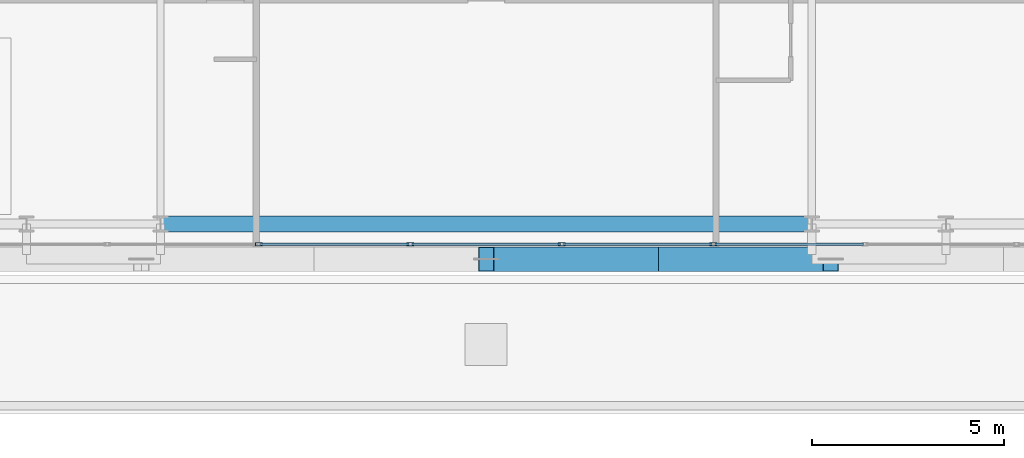
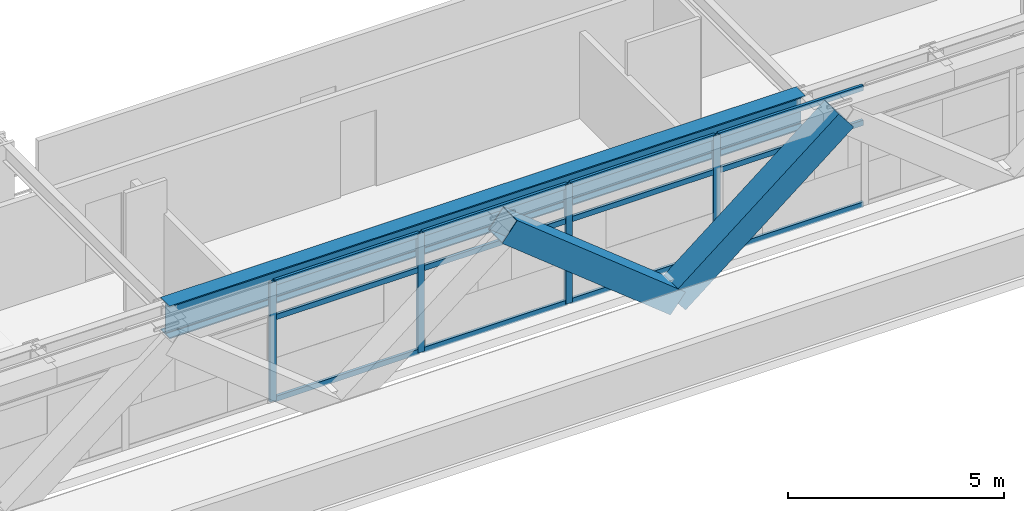
# One storey, part 5 of 34: 18 members, 1 beam, 1 element without a shape of its own.
"""IFC4 building model written with IfcOpenShell, lengths in metres."""

from ifc_helpers import new_model, si_unit, direction, frame, origin, origin_2d, place, context, subcontext, project, spatial, hollow_rectangle, i_section, extrude, source, transform, mapped, material, layer, layer_set, material_profile, profile_set, type_object, element, aggregate, save


model = new_model("IFC4")

# Units and contexts
model_context = context("Model", 3, precision=1e-05, world=origin(), true_north=direction((0.0, 1.0)))
body_context = subcontext(model_context, "Body", "Model", "MODEL_VIEW")
ifc_project = project(units=[si_unit("LENGTHUNIT", "METRE"), si_unit("AREAUNIT", "SQUARE_METRE"), si_unit("VOLUMEUNIT", "CUBIC_METRE"), si_unit("PLANEANGLEUNIT", "RADIAN"), si_unit("MASSUNIT", "GRAM", prefix="KILO")], contexts=[model_context])

# Site, building, storey
site_placement = place(None, origin())
site = spatial("IfcSite", under=ifc_project, at=site_placement, CompositionType="ELEMENT")
building_placement = place(site_placement, origin())
building = spatial("IfcBuilding", under=site, at=building_placement, Name="Ocotamira Hotel", CompositionType="ELEMENT")
storey_placement = place(building_placement, frame((0.0, 0.0, 163.199951171875)))
storey = spatial("IfcBuildingStorey", under=building, at=storey_placement, Name="L40", CompositionType="ELEMENT", Elevation=163.199951171875)

# Beam
ifc_material_1 = material(Name="Steel ASTM A992 Grade 50", Category="steel")
ifc_material_profile_1 = material_profile(ifc_material_1, i_section(OverallWidth=0.41796875, OverallDepth=0.927001953125, WebThickness=0.019287109375, FlangeThickness=0.031982421875, FilletRadius=0.02392578125, at=origin_2d()), Name="W36X231")
ifc_profile_set_1 = profile_set([ifc_material_profile_1], Name="Steel ASTM A992 Grade 50")
beam_type = type_object("IfcBeamType", Name="BM-GIRD-W36X231", PredefinedType="BEAM", material=ifc_profile_set_1)
shared_shape_1 = source(origin(), body_context, "Body", "SweptSolid", [
    extrude(i_section(OverallWidth=0.41796875, OverallDepth=0.927001953125, WebThickness=0.019287109375, FlangeThickness=0.031982421875, FilletRadius=0.02392578125, at=origin_2d()), origin(), (0.0, 0.0, 1.0), 17.0),
])
beam_placement = place(storey_placement, frame((23.5, 6.949951171875, 2.906494140625), z_axis=(1.0, 0.0, 0.0), x_axis=(0.0, 1.0, 0.0)))
element("IfcBeam", 1, at=beam_placement, inside=storey, type_object=beam_type, Name="L40 Girder Y6.95 X23.5-40.5", PredefinedType="BEAM", context=body_context, shape_type="MappedRepresentation", body=[
    mapped(shared_shape_1, transform((0.0, 0.0, 0.0), scale=1.0)),
])

# Members
ifc_material_2 = material(Name="Pale-metal coated steel ASTM A913 Grade 65", Category="steel")
ifc_material_profile_2 = material_profile(ifc_material_2, hollow_rectangle(XDim=0.64990234375, YDim=0.64990234375, WallThickness=0.02197265625, at=origin_2d()), Name="BOX650X650X22")
ifc_profile_set_2 = profile_set([ifc_material_profile_2], Name="Pale-metal coated steel ASTM A913 Grade 65")
member_type_1 = type_object("IfcMemberType", Name="MEM-EXO-BOX650", PredefinedType="BRACE", material=ifc_profile_set_2)
shared_shape_2 = source(origin(), body_context, "Body", "SweptSolid", [
    extrude(hollow_rectangle(XDim=0.64990234375, YDim=0.64990234375, WallThickness=0.02197265625, at=origin_2d()), origin(), (0.0, 0.0, 1.0), 5.762939453125),
])
for number, where, z_axis, x_axis, name in (
    (2, (36.5, 6.030029296875, -0.47998046875), (-0.780860543151, 0.0, 0.624705380279), (0.0, -1.0, 0.0), "L40 Exoskeleton Diagrid S2.1"),
    (3, (36.5, 6.030029296875, -0.47998046875), (0.780860543151, 0.0, 0.624705380279), (0.0, 1.0, 0.0), "L40 Exoskeleton Diagrid S2.2"),
):
    element("IfcMember", number, at=place(storey_placement, frame(where, z_axis=z_axis, x_axis=x_axis)), inside=storey, type_object=member_type_1, Name=name, PredefinedType="BRACE", context=body_context, shape_type="MappedRepresentation", body=[
        mapped(shared_shape_2, transform((0.0, 0.0, 0.0), scale=1.0)),
    ])

# Curtain wall, members
ifc_material_3 = material(Name="Anodised pale-metal aluminium and solar glass", Category="aluminium")
ifc_layer = layer(ifc_material_3, 0.199951171875)
ifc_layer_set = layer_set([ifc_layer], Name="Anodised pale-metal aluminium and solar glass")
curtain_wall_type = type_object("IfcCurtainWallType", Name="CW-SYS4-Z3", PredefinedType="NOTDEFINED", material=ifc_layer_set)
curtain_wall_placement = place(storey_placement, origin())
curtain_wall = element("IfcCurtainWall", 4, at=curtain_wall_placement, inside=storey, type_object=curtain_wall_type, Name="L40 Curtain Wall CW-4 CW-L40-S1", PredefinedType="NOTDEFINED")
ifc_material_4 = material(Name="Anodised pale-metal aluminium 6063-T6", Category="aluminium")
ifc_material_profile_3 = material_profile(ifc_material_4, hollow_rectangle(XDim=0.074951171875, YDim=0.14990234375, WallThickness=0.006103515625, at=origin_2d()), Name="HSS150X75X6")
ifc_profile_set_3 = profile_set([ifc_material_profile_3], Name="Anodised pale-metal aluminium 6063-T6")
member_type_2 = type_object("IfcMemberType", Name="CWT-150X75", PredefinedType="USERDEFINED", material=ifc_profile_set_3)
shared_shape_3 = source(origin(), body_context, "Body", "SweptSolid", [
    extrude(hollow_rectangle(XDim=0.074951171875, YDim=0.14990234375, WallThickness=0.006103515625, at=origin_2d()), origin(), (0.0, 0.0, 1.0), 3.87548828125),
])
member_1_placement = place(storey_placement, frame((26.106689453125, 6.419921875, 0.03759765625), z_axis=(1.0, 0.0, 0.0), x_axis=(0.0, 1.0, 0.0)))
member_1 = element("IfcMember", 5, at=member_1_placement, type_object=member_type_2, Name="CW-4 transom 4.1", ObjectType="TRANSOM", PredefinedType="USERDEFINED", context=body_context, shape_type="MappedRepresentation", body=[
    mapped(shared_shape_3, transform((0.0, 0.0, 0.0), scale=1.0)),
])
member_2_placement = place(storey_placement, frame((26.106689453125, 6.419921875, 2.35009765625), z_axis=(1.0, 0.0, 0.0), x_axis=(0.0, 1.0, 0.0)))
member_2 = element("IfcMember", 6, at=member_2_placement, type_object=member_type_2, Name="CW-4 transom 4.2", ObjectType="TRANSOM", PredefinedType="USERDEFINED", context=body_context, shape_type="MappedRepresentation", body=[
    mapped(shared_shape_3, transform((0.0, 0.0, 0.0), scale=1.0)),
])
member_3_placement = place(storey_placement, frame((26.106689453125, 6.419921875, 3.33251953125), z_axis=(1.0, 0.0, 0.0), x_axis=(0.0, 1.0, 0.0)))
member_3 = element("IfcMember", 7, at=member_3_placement, type_object=member_type_2, Name="CW-4 transom 4.3", ObjectType="TRANSOM", PredefinedType="USERDEFINED", context=body_context, shape_type="MappedRepresentation", body=[
    mapped(shared_shape_3, transform((0.0, 0.0, 0.0), scale=1.0)),
])
member_4_placement = place(storey_placement, frame((30.062255859375, 6.419921875, 0.03759765625), z_axis=(1.0, 0.0, 0.0), x_axis=(0.0, 1.0, 0.0)))
member_4 = element("IfcMember", 8, at=member_4_placement, type_object=member_type_2, Name="CW-4 transom 5.1", ObjectType="TRANSOM", PredefinedType="USERDEFINED", context=body_context, shape_type="MappedRepresentation", body=[
    mapped(shared_shape_3, transform((0.0, 0.0, 0.0), scale=1.0)),
])
member_5_placement = place(storey_placement, frame((30.062255859375, 6.419921875, 2.35009765625), z_axis=(1.0, 0.0, 0.0), x_axis=(0.0, 1.0, 0.0)))
member_5 = element("IfcMember", 9, at=member_5_placement, type_object=member_type_2, Name="CW-4 transom 5.2", ObjectType="TRANSOM", PredefinedType="USERDEFINED", context=body_context, shape_type="MappedRepresentation", body=[
    mapped(shared_shape_3, transform((0.0, 0.0, 0.0), scale=1.0)),
])
member_6_placement = place(storey_placement, frame((30.062255859375, 6.419921875, 3.33251953125), z_axis=(1.0, 0.0, 0.0), x_axis=(0.0, 1.0, 0.0)))
member_6 = element("IfcMember", 10, at=member_6_placement, type_object=member_type_2, Name="CW-4 transom 5.3", ObjectType="TRANSOM", PredefinedType="USERDEFINED", context=body_context, shape_type="MappedRepresentation", body=[
    mapped(shared_shape_3, transform((0.0, 0.0, 0.0), scale=1.0)),
])
member_7_placement = place(storey_placement, frame((34.017822265625, 6.419921875, 0.03759765625), z_axis=(1.0, 0.0, 0.0), x_axis=(0.0, 1.0, 0.0)))
member_7 = element("IfcMember", 11, at=member_7_placement, type_object=member_type_2, Name="CW-4 transom 6.1", ObjectType="TRANSOM", PredefinedType="USERDEFINED", context=body_context, shape_type="MappedRepresentation", body=[
    mapped(shared_shape_3, transform((0.0, 0.0, 0.0), scale=1.0)),
])
member_8_placement = place(storey_placement, frame((34.017822265625, 6.419921875, 2.35009765625), z_axis=(1.0, 0.0, 0.0), x_axis=(0.0, 1.0, 0.0)))
member_8 = element("IfcMember", 12, at=member_8_placement, type_object=member_type_2, Name="CW-4 transom 6.2", ObjectType="TRANSOM", PredefinedType="USERDEFINED", context=body_context, shape_type="MappedRepresentation", body=[
    mapped(shared_shape_3, transform((0.0, 0.0, 0.0), scale=1.0)),
])
member_9_placement = place(storey_placement, frame((34.017822265625, 6.419921875, 3.33251953125), z_axis=(1.0, 0.0, 0.0), x_axis=(0.0, 1.0, 0.0)))
member_9 = element("IfcMember", 13, at=member_9_placement, type_object=member_type_2, Name="CW-4 transom 6.3", ObjectType="TRANSOM", PredefinedType="USERDEFINED", context=body_context, shape_type="MappedRepresentation", body=[
    mapped(shared_shape_3, transform((0.0, 0.0, 0.0), scale=1.0)),
])
member_10_placement = place(storey_placement, frame((37.973388671875, 6.419921875, 0.03759765625), z_axis=(1.0, 0.0, 0.0), x_axis=(0.0, 1.0, 0.0)))
member_10 = element("IfcMember", 14, at=member_10_placement, type_object=member_type_2, Name="CW-4 transom 7.1", ObjectType="TRANSOM", PredefinedType="USERDEFINED", context=body_context, shape_type="MappedRepresentation", body=[
    mapped(shared_shape_3, transform((0.0, 0.0, 0.0), scale=1.0)),
])
member_11_placement = place(storey_placement, frame((37.973388671875, 6.419921875, 2.35009765625), z_axis=(1.0, 0.0, 0.0), x_axis=(0.0, 1.0, 0.0)))
member_11 = element("IfcMember", 15, at=member_11_placement, type_object=member_type_2, Name="CW-4 transom 7.2", ObjectType="TRANSOM", PredefinedType="USERDEFINED", context=body_context, shape_type="MappedRepresentation", body=[
    mapped(shared_shape_3, transform((0.0, 0.0, 0.0), scale=1.0)),
])
member_12_placement = place(storey_placement, frame((37.973388671875, 6.419921875, 3.33251953125), z_axis=(1.0, 0.0, 0.0), x_axis=(0.0, 1.0, 0.0)))
member_12 = element("IfcMember", 16, at=member_12_placement, type_object=member_type_2, Name="CW-4 transom 7.3", ObjectType="TRANSOM", PredefinedType="USERDEFINED", context=body_context, shape_type="MappedRepresentation", body=[
    mapped(shared_shape_3, transform((0.0, 0.0, 0.0), scale=1.0)),
])
ifc_material_profile_4 = material_profile(ifc_material_4, hollow_rectangle(XDim=0.080078125, YDim=0.179931640625, WallThickness=0.006103515625, at=origin_2d()), Name="HSS180X80X6")
ifc_profile_set_4 = profile_set([ifc_material_profile_4], Name="Anodised pale-metal aluminium 6063-T6")
member_type_3 = type_object("IfcMemberType", Name="CWM-180X75", PredefinedType="MULLION", material=ifc_profile_set_4)
shared_shape_4 = source(origin(), body_context, "Body", "SweptSolid", [
    extrude(hollow_rectangle(XDim=0.080078125, YDim=0.179931640625, WallThickness=0.006103515625, at=origin_2d()), origin(), (0.0, 0.0, 1.0), 3.3701171875),
])
member_13_placement = place(storey_placement, frame((26.066650390625, 6.419921875, 0.0), z_axis=(0.0, 0.0, 1.0), x_axis=(0.0, 1.0, 0.0)))
member_13 = element("IfcMember", 17, at=member_13_placement, type_object=member_type_3, Name="CW-4 mullion 4", PredefinedType="MULLION", context=body_context, shape_type="MappedRepresentation", body=[
    mapped(shared_shape_4, transform((0.0, 0.0, 0.0), scale=1.0)),
])
member_14_placement = place(storey_placement, frame((30.022216796875, 6.419921875, 0.0), z_axis=(0.0, 0.0, 1.0), x_axis=(0.0, 1.0, 0.0)))
member_14 = element("IfcMember", 18, at=member_14_placement, type_object=member_type_3, Name="CW-4 mullion 5", PredefinedType="MULLION", context=body_context, shape_type="MappedRepresentation", body=[
    mapped(shared_shape_4, transform((0.0, 0.0, 0.0), scale=1.0)),
])
member_15_placement = place(storey_placement, frame((33.977783203125, 6.419921875, 0.0), z_axis=(0.0, 0.0, 1.0), x_axis=(0.0, 1.0, 0.0)))
member_15 = element("IfcMember", 19, at=member_15_placement, type_object=member_type_3, Name="CW-4 mullion 6", PredefinedType="MULLION", context=body_context, shape_type="MappedRepresentation", body=[
    mapped(shared_shape_4, transform((0.0, 0.0, 0.0), scale=1.0)),
])
member_16_placement = place(storey_placement, frame((37.933349609375, 6.419921875, 0.0), z_axis=(0.0, 0.0, 1.0), x_axis=(0.0, 1.0, 0.0)))
member_16 = element("IfcMember", 20, at=member_16_placement, type_object=member_type_3, Name="CW-4 mullion 7", PredefinedType="MULLION", context=body_context, shape_type="MappedRepresentation", body=[
    mapped(shared_shape_4, transform((0.0, 0.0, 0.0), scale=1.0)),
])
aggregate(curtain_wall, [member_13, member_14, member_15, member_16, member_1, member_2, member_3, member_4, member_5, member_6, member_7, member_8, member_9, member_10, member_11, member_12])

save(model, "model.ifc")
